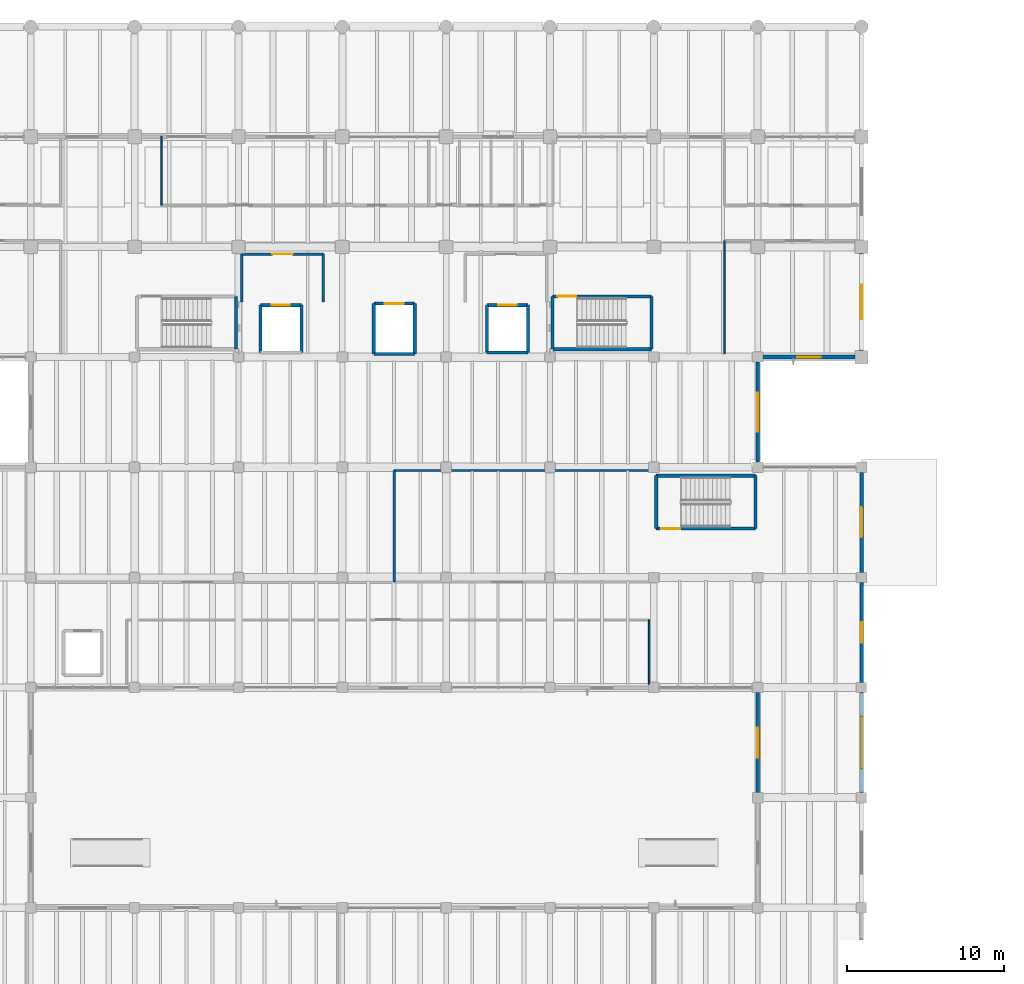
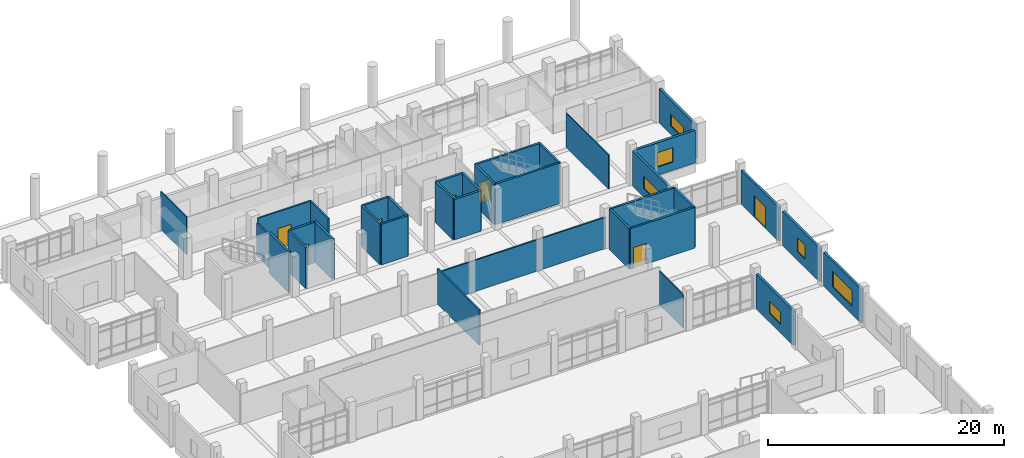
# One storey, part 49 of 69: 35 walls, 7 doors, 6 windows, 13 openings.
"""IFC4 building model written with IfcOpenShell, lengths in metres."""

from ifc_helpers import new_model, si_unit, direction, frame, frame_2d, origin, place, context, subcontext, project, spatial, rectangle, extrude, material, layer, layer_set, type_object, element, fill, save


model = new_model("IFC4")

# Units and contexts
model_context = context("Model", 3, precision=1e-05, world=origin(), true_north=direction((0.0, 1.0)))
body_context = subcontext(model_context, "Body", "Model", "MODEL_VIEW")
ifc_project = project(units=[si_unit("LENGTHUNIT", "METRE"), si_unit("AREAUNIT", "SQUARE_METRE"), si_unit("VOLUMEUNIT", "CUBIC_METRE"), si_unit("PLANEANGLEUNIT", "RADIAN"), si_unit("MASSUNIT", "GRAM", prefix="KILO")], contexts=[model_context])

# Site, building, storey
site_placement = place(None, origin())
site = spatial("IfcSite", under=ifc_project, at=site_placement, CompositionType="ELEMENT")
building_placement = place(site_placement, origin())
building = spatial("IfcBuilding", under=site, at=building_placement, Name="Ciguamira Faculty of Natural Sciences", CompositionType="ELEMENT")
storey_placement = place(building_placement, origin())
storey = spatial("IfcBuildingStorey", under=building, at=storey_placement, Name="L00", CompositionType="ELEMENT", Elevation=0.0)

# Wall, opening, window
ifc_material_1 = material(Name="Precast concrete C40/50", Category="concrete")
ifc_layer_1 = layer(ifc_material_1, 0.239990234375, Name="Precast concrete C40/50")
ifc_layer_set_1 = layer_set([ifc_layer_1], Name="Precast concrete C40/50")
wall_type_1 = type_object("IfcWallType", Name="ExtWall_EW-02_240", PredefinedType="SOLIDWALL", material=ifc_layer_set_1)
wall_1_placement = place(storey_placement, frame((110.425048828125, 94.0, 0.0), z_axis=(0.0, 0.0, 1.0), x_axis=(1.0, 0.0, 0.0)))
wall_1 = element("IfcWall", 1, at=wall_1_placement, inside=storey, type_object=wall_type_1, Name="L00 exterior wall 0099", PredefinedType="SOLIDWALL", context=body_context, shape_type="SweptSolid", body=[
    extrude(rectangle(XDim=5.849853515625, YDim=0.239990234375, at=frame_2d((2.9248046875, 0.0))), origin(), (0.0, 0.0, 1.0), 3.364990234375),
])
opening_1_placement = place(wall_1_placement, frame((2.175048828125, 0.0, 0.85009765625)))
opening_1 = element("IfcOpeningElement", 2, at=opening_1_placement, cuts=wall_1, Name="Opening WT-09", PredefinedType="OPENING", context=body_context, shape_type="SweptSolid", body=[
    extrude(rectangle(XDim=1.5, YDim=1.5, at=frame_2d((0.75, 0.75))), frame((0.0, 0.1298828125, 0.0), z_axis=(0.0, -1.0, 0.0), x_axis=(1.0, 0.0, 0.0)), (0.0, 0.0, 1.0), 0.260009765625),
])
ifc_material_2 = material(Name="Hurricane laminated solar glass", Category="glass")
window_type_1 = type_object("IfcWindowType", Name="Window_WT-09_1500x1500", PartitioningType="DOUBLE_PANEL_VERTICAL", PredefinedType="WINDOW", material=ifc_material_2)
window_1_placement = place(opening_1_placement, origin())
window_1 = element("IfcWindow", 3, at=window_1_placement, inside=storey, type_object=window_type_1, Name="L00 facade window 0024", OverallHeight=1.5, OverallWidth=1.5, PartitioningType="SINGLE_PANEL", PredefinedType="WINDOW", context=body_context, shape_type="SweptSolid", body=[
    extrude(rectangle(XDim=1.5, YDim=1.5, at=frame_2d((0.75, 0.75))), frame((0.0, 0.030029296875, 0.0), z_axis=(0.0, -1.0, 0.0), x_axis=(1.0, 0.0, 0.0)), (0.0, 0.0, 1.0), 0.06005859375),
])
fill(opening_1, window_1)

wall_2_placement = place(storey_placement, frame((116.699951171875, 94.425048828125, 0.0), z_axis=(0.0, 0.0, 1.0), x_axis=(0.0, 1.0, 0.0)))
wall_2 = element("IfcWall", 4, at=wall_2_placement, inside=storey, type_object=wall_type_1, Name="L00 exterior wall 0131", PredefinedType="SOLIDWALL", context=body_context, shape_type="SweptSolid", body=[
    extrude(rectangle(XDim=6.14990234375, YDim=0.239990234375, at=frame_2d((3.074951171875, 0.0))), origin(), (0.0, 0.0, 1.0), 3.5048828125),
])
opening_2_placement = place(wall_2_placement, frame((1.97509765625, 0.0, 0.85009765625)))
opening_2 = element("IfcOpeningElement", 5, at=opening_2_placement, cuts=wall_2, Name="Opening WT-31", PredefinedType="OPENING", context=body_context, shape_type="SweptSolid", body=[
    extrude(rectangle(XDim=2.199951171875, YDim=1.199951171875, at=frame_2d((1.10009765625, 0.60009765625))), frame((0.0, 0.1298828125, 0.0), z_axis=(0.0, -1.0, 0.0), x_axis=(1.0, 0.0, 0.0)), (0.0, 0.0, 1.0), 0.260009765625),
])
window_type_2 = type_object("IfcWindowType", Name="Window_WT-31_2200x1200", PartitioningType="DOUBLE_PANEL_VERTICAL", PredefinedType="WINDOW", material=ifc_material_2)
window_2_placement = place(opening_2_placement, origin())
window_2 = element("IfcWindow", 6, at=window_2_placement, inside=storey, type_object=window_type_2, Name="L00 facade window 0048", OverallHeight=1.199951171875, OverallWidth=2.199951171875, PartitioningType="SINGLE_PANEL", PredefinedType="WINDOW", context=body_context, shape_type="SweptSolid", body=[
    extrude(rectangle(XDim=2.199951171875, YDim=1.199951171875, at=frame_2d((1.10009765625, 0.60009765625))), frame((0.0, 0.030029296875, 0.0), z_axis=(0.0, -1.0, 0.0), x_axis=(1.0, 0.0, 0.0)), (0.0, 0.0, 1.0), 0.06005859375),
])
fill(opening_2, window_2)

ifc_layer_2 = layer(ifc_material_1, 0.219970703125, Name="Precast concrete C40/50")
ifc_layer_set_2 = layer_set([ifc_layer_2], Name="Precast concrete C40/50")
wall_type_2 = type_object("IfcWallType", Name="ExtWall_EW-03_220", PredefinedType="SOLIDWALL", material=ifc_layer_set_2)
wall_3_placement = place(storey_placement, frame((110.10009765625, 66.324951171875, 0.0), z_axis=(0.0, 0.0, 1.0), x_axis=(0.0, 1.0, 0.0)))
wall_3 = element("IfcWall", 7, at=wall_3_placement, inside=storey, type_object=wall_type_2, Name="L00 exterior wall 0123", PredefinedType="SOLIDWALL", context=body_context, shape_type="SweptSolid", body=[
    extrude(rectangle(XDim=6.35009765625, YDim=0.219970703125, at=frame_2d((3.175048828125, 0.0))), origin(), (0.0, 0.0, 1.0), 3.56494140625),
])
opening_3_placement = place(wall_3_placement, frame((2.22509765625, 0.0, 0.85009765625)))
opening_3 = element("IfcOpeningElement", 8, at=opening_3_placement, cuts=wall_3, Name="Opening WT-17", PredefinedType="OPENING", context=body_context, shape_type="SweptSolid", body=[
    extrude(rectangle(XDim=1.89990234375, YDim=1.25, at=frame_2d((0.949951171875, 0.625))), frame((0.0, 0.119873046875, 0.0), z_axis=(0.0, -1.0, 0.0), x_axis=(1.0, 0.0, 0.0)), (0.0, 0.0, 1.0), 0.239990234375),
])
window_type_3 = type_object("IfcWindowType", Name="Window_WT-17_1900x1250", PartitioningType="DOUBLE_PANEL_VERTICAL", PredefinedType="WINDOW", material=ifc_material_2)
window_3_placement = place(opening_3_placement, origin())
window_3 = element("IfcWindow", 9, at=window_3_placement, inside=storey, type_object=window_type_3, Name="L00 facade window 0042", OverallHeight=1.25, OverallWidth=1.89990234375, PartitioningType="SINGLE_PANEL", PredefinedType="WINDOW", context=body_context, shape_type="SweptSolid", body=[
    extrude(rectangle(XDim=1.89990234375, YDim=1.25, at=frame_2d((0.949951171875, 0.625))), frame((0.0, 0.030029296875, 0.0), z_axis=(0.0, -1.0, 0.0), x_axis=(1.0, 0.0, 0.0)), (0.0, 0.0, 1.0), 0.06005859375),
])
fill(opening_3, window_3)

wall_4_placement = place(storey_placement, frame((110.10009765625, 87.324951171875, 0.0), z_axis=(0.0, 0.0, 1.0), x_axis=(0.0, 1.0, 0.0)))
wall_4 = element("IfcWall", 10, at=wall_4_placement, inside=storey, type_object=wall_type_2, Name="L00 exterior wall 0124", PredefinedType="SOLIDWALL", context=body_context, shape_type="SweptSolid", body=[
    extrude(rectangle(XDim=6.35009765625, YDim=0.219970703125, at=frame_2d((3.175048828125, 0.0))), origin(), (0.0, 0.0, 1.0), 3.56494140625),
])
opening_4_placement = place(wall_4_placement, frame((1.925048828125, 0.0, 0.85009765625)))
opening_4 = element("IfcOpeningElement", 11, at=opening_4_placement, cuts=wall_4, Name="Opening WT-19", PredefinedType="OPENING", context=body_context, shape_type="SweptSolid", body=[
    extrude(rectangle(XDim=2.5, YDim=1.25, at=frame_2d((1.25, 0.625))), frame((0.0, 0.119873046875, 0.0), z_axis=(0.0, -1.0, 0.0), x_axis=(1.0, 0.0, 0.0)), (0.0, 0.0, 1.0), 0.239990234375),
])
window_type_4 = type_object("IfcWindowType", Name="Window_WT-19_2500x1250", PartitioningType="DOUBLE_PANEL_VERTICAL", PredefinedType="WINDOW", material=ifc_material_2)
window_4_placement = place(opening_4_placement, origin())
window_4 = element("IfcWindow", 12, at=window_4_placement, inside=storey, type_object=window_type_4, Name="L00 facade window 0043", OverallHeight=1.25, OverallWidth=2.5, PartitioningType="SINGLE_PANEL", PredefinedType="WINDOW", context=body_context, shape_type="SweptSolid", body=[
    extrude(rectangle(XDim=2.5, YDim=1.25, at=frame_2d((1.25, 0.625))), frame((0.0, 0.030029296875, 0.0), z_axis=(0.0, -1.0, 0.0), x_axis=(1.0, 0.0, 0.0)), (0.0, 0.0, 1.0), 0.06005859375),
])
fill(opening_4, window_4)

wall_5_placement = place(storey_placement, frame((116.699951171875, 66.324951171875, 0.0), z_axis=(0.0, 0.0, 1.0), x_axis=(0.0, 1.0, 0.0)))
wall_5 = element("IfcWall", 13, at=wall_5_placement, inside=storey, type_object=wall_type_2, Name="L00 exterior wall 0128", PredefinedType="SOLIDWALL", context=body_context, shape_type="SweptSolid", body=[
    extrude(rectangle(XDim=6.35009765625, YDim=0.219970703125, at=frame_2d((3.175048828125, 0.0))), origin(), (0.0, 0.0, 1.0), 3.5048828125),
])
opening_5_placement = place(wall_5_placement, frame((1.52490234375, 0.0, 0.85009765625)))
opening_5 = element("IfcOpeningElement", 14, at=opening_5_placement, cuts=wall_5, Name="Opening WT-26", PredefinedType="OPENING", context=body_context, shape_type="SweptSolid", body=[
    extrude(rectangle(XDim=3.300048828125, YDim=1.60009765625, at=frame_2d((1.64990234375, 0.800048828125))), frame((0.0, 0.119873046875, 0.0), z_axis=(0.0, -1.0, 0.0), x_axis=(1.0, 0.0, 0.0)), (0.0, 0.0, 1.0), 0.239990234375),
])
window_type_5 = type_object("IfcWindowType", Name="Window_WT-26_3300x1600", PartitioningType="DOUBLE_PANEL_VERTICAL", PredefinedType="WINDOW", material=ifc_material_2)
window_5_placement = place(opening_5_placement, origin())
window_5 = element("IfcWindow", 15, at=window_5_placement, inside=storey, type_object=window_type_5, Name="L00 facade window 0046", OverallHeight=1.60009765625, OverallWidth=3.300048828125, PartitioningType="SINGLE_PANEL", PredefinedType="WINDOW", context=body_context, shape_type="SweptSolid", body=[
    extrude(rectangle(XDim=3.300048828125, YDim=1.60009765625, at=frame_2d((1.64990234375, 0.800048828125))), frame((0.0, 0.030029296875, 0.0), z_axis=(0.0, -1.0, 0.0), x_axis=(1.0, 0.0, 0.0)), (0.0, 0.0, 1.0), 0.06005859375),
])
fill(opening_5, window_5)

wall_6_placement = place(storey_placement, frame((116.699951171875, 73.324951171875, 0.0), z_axis=(0.0, 0.0, 1.0), x_axis=(0.0, 1.0, 0.0)))
wall_6 = element("IfcWall", 16, at=wall_6_placement, inside=storey, type_object=wall_type_2, Name="L00 exterior wall 0129", PredefinedType="SOLIDWALL", context=body_context, shape_type="SweptSolid", body=[
    extrude(rectangle(XDim=6.35009765625, YDim=0.219970703125, at=frame_2d((3.175048828125, 0.0))), origin(), (0.0, 0.0, 1.0), 3.5048828125),
])
opening_6_placement = place(wall_6_placement, frame((2.52490234375, 0.0, 0.85009765625)))
opening_6 = element("IfcOpeningElement", 17, at=opening_6_placement, cuts=wall_6, Name="Opening WT-28", PredefinedType="OPENING", context=body_context, shape_type="SweptSolid", body=[
    extrude(rectangle(XDim=1.300048828125, YDim=1.449951171875, at=frame_2d((0.64990234375, 0.72509765625))), frame((0.0, 0.119873046875, 0.0), z_axis=(0.0, -1.0, 0.0), x_axis=(1.0, 0.0, 0.0)), (0.0, 0.0, 1.0), 0.239990234375),
])
window_type_6 = type_object("IfcWindowType", Name="Window_WT-28_1300x1450", PartitioningType="DOUBLE_PANEL_VERTICAL", PredefinedType="WINDOW", material=ifc_material_2)
window_6_placement = place(opening_6_placement, origin())
window_6 = element("IfcWindow", 18, at=window_6_placement, inside=storey, type_object=window_type_6, Name="L00 facade window 0047", OverallHeight=1.449951171875, OverallWidth=1.300048828125, PartitioningType="SINGLE_PANEL", PredefinedType="WINDOW", context=body_context, shape_type="SweptSolid", body=[
    extrude(rectangle(XDim=1.300048828125, YDim=1.449951171875, at=frame_2d((0.64990234375, 0.72509765625))), frame((0.0, 0.030029296875, 0.0), z_axis=(0.0, -1.0, 0.0), x_axis=(1.0, 0.0, 0.0)), (0.0, 0.0, 1.0), 0.06005859375),
])
fill(opening_6, window_6)

# Wall, opening, door
wall_7_placement = place(storey_placement, frame((116.699951171875, 80.324951171875, 0.0), z_axis=(0.0, 0.0, 1.0), x_axis=(0.0, 1.0, 0.0)))
wall_7 = element("IfcWall", 19, at=wall_7_placement, inside=storey, type_object=wall_type_2, Name="L00 exterior wall 0130", PredefinedType="SOLIDWALL", context=body_context, shape_type="SweptSolid", body=[
    extrude(rectangle(XDim=6.35009765625, YDim=0.219970703125, at=frame_2d((3.175048828125, 0.0))), origin(), (0.0, 0.0, 1.0), 3.5048828125),
])
opening_7_placement = place(wall_7_placement, frame((2.22509765625, 0.0, 0.0)))
opening_7 = element("IfcOpeningElement", 20, at=opening_7_placement, cuts=wall_7, Name="Opening ED-04", PredefinedType="OPENING", context=body_context, shape_type="SweptSolid", body=[
    extrude(rectangle(XDim=1.89990234375, YDim=2.199951171875, at=frame_2d((0.949951171875, 1.10009765625))), frame((0.0, 0.119873046875, 0.0), z_axis=(0.0, -1.0, 0.0), x_axis=(1.0, 0.0, 0.0)), (0.0, 0.0, 1.0), 0.239990234375),
])
ifc_material_3 = material(Name="Stair final exit discharge double door")
door_type_1 = type_object("IfcDoorType", Name="ExtDoor_ED-04_1900x2200", OperationType="NOTDEFINED", PredefinedType="DOOR", material=ifc_material_3)
door_1_placement = place(opening_7_placement, frame((1.89990234375, 0.0, 0.0), z_axis=(0.0, 0.0, 1.0), x_axis=(-1.0, 0.0, 0.0)))
door_1 = element("IfcDoor", 21, at=door_1_placement, inside=storey, type_object=door_type_1, Name="Northeast Lab Final Exit Door ED-15", OperationType="DOUBLE_DOOR_SINGLE_SWING", OverallHeight=2.199951171875, OverallWidth=1.89990234375, PredefinedType="DOOR", context=body_context, shape_type="SweptSolid", body=[
    extrude(rectangle(XDim=1.89990234375, YDim=2.199951171875, at=frame_2d((0.949951171875, 1.10009765625))), frame((0.0, 0.02490234375, 0.0), z_axis=(0.0, -1.0, 0.0), x_axis=(1.0, 0.0, 0.0)), (0.0, 0.0, 1.0), 0.050048828125),
])
fill(opening_7, door_1)

# Walls
ifc_material_4 = material(Name="Concrete C40/50", Category="concrete")
ifc_layer_3 = layer(ifc_material_4, 0.199951171875, Name="Concrete C40/50")
ifc_layer_set_3 = layer_set([ifc_layer_3], Name="Concrete C40/50")
wall_type_3 = type_object("IfcWallType", Name="IntWall_CW-S20_200", PredefinedType="SHEAR", material=ifc_layer_set_3)
wall_8_placement = place(storey_placement, frame((76.949951171875, 94.5, 0.0), z_axis=(0.0, 0.0, 1.0), x_axis=(0.0, 1.0, 0.0)))
element("IfcWall", 22, at=wall_8_placement, inside=storey, type_object=wall_type_3, Name="L00 ST-T1 core shear wall east", PredefinedType="SHEAR", context=body_context, shape_type="SweptSolid", body=[
    extrude(rectangle(XDim=3.360107421875, YDim=0.199951171875, at=frame_2d((1.68017578125, 0.0))), origin(), (0.0, 0.0, 1.0), 4.199951171875),
])
wall_9_placement = place(storey_placement, frame((97.050048828125, 94.5, 0.0), z_axis=(0.0, 0.0, 1.0), x_axis=(1.0, 0.0, 0.0)))
element("IfcWall", 23, at=wall_9_placement, inside=storey, type_object=wall_type_3, Name="L00 ST-T2 core shear wall south", PredefinedType="SHEAR", context=body_context, shape_type="SweptSolid", body=[
    extrude(rectangle(XDim=6.300048828125, YDim=0.199951171875, at=frame_2d((3.14990234375, 0.0))), origin(), (0.0, 0.0, 1.0), 4.199951171875),
])

# Wall, opening, door
wall_10_placement = place(storey_placement, frame((97.050048828125, 97.860107421875, 0.0), z_axis=(0.0, 0.0, 1.0), x_axis=(1.0, 0.0, 0.0)))
wall_10 = element("IfcWall", 24, at=wall_10_placement, inside=storey, type_object=wall_type_3, Name="L00 ST-T2 core shear wall north", PredefinedType="SHEAR", context=body_context, shape_type="SweptSolid", body=[
    extrude(rectangle(XDim=6.300048828125, YDim=0.199951171875, at=frame_2d((3.14990234375, 0.0))), origin(), (0.0, 0.0, 1.0), 4.199951171875),
])
opening_8_placement = place(wall_10_placement, frame((0.320068359375, 0.0, 0.0)))
opening_8 = element("IfcOpeningElement", 25, at=opening_8_placement, cuts=wall_10, Name="Opening ID-14", PredefinedType="OPENING", context=body_context, shape_type="SweptSolid", body=[
    extrude(rectangle(XDim=1.199951171875, YDim=2.14990234375, at=frame_2d((0.60009765625, 1.074951171875))), frame((0.0, 0.10986328125, 0.0), z_axis=(0.0, -1.0, 0.0), x_axis=(1.0, 0.0, 0.0)), (0.0, 0.0, 1.0), 0.219970703125),
])
ifc_material_5 = material(Name="Protected exit stair fire door")
door_type_2 = type_object("IfcDoorType", Name="IntDoor_ID-14_1200x2150", OperationType="NOTDEFINED", PredefinedType="DOOR", material=ifc_material_5)
door_2_placement = place(opening_8_placement, frame((1.199951171875, 0.0, 0.0), z_axis=(0.0, 0.0, 1.0), x_axis=(-1.0, 0.0, 0.0)))
door_2 = element("IfcDoor", 26, at=door_2_placement, inside=storey, type_object=door_type_2, Name="L00 ST-T2 exit stair fire door", OperationType="SINGLE_SWING_LEFT", OverallHeight=2.14990234375, OverallWidth=1.199951171875, PredefinedType="DOOR", context=body_context, shape_type="SweptSolid", body=[
    extrude(rectangle(XDim=1.199951171875, YDim=2.14990234375, at=frame_2d((0.60009765625, 1.074951171875))), frame((0.0, 0.02490234375, 0.0), z_axis=(0.0, -1.0, 0.0), x_axis=(1.0, 0.0, 0.0)), (0.0, 0.0, 1.0), 0.050048828125),
])
fill(opening_8, door_2)

# Walls
for number, where, z_axis, x_axis, name in (
    (27, (97.050048828125, 94.5, 0.0), (0.0, 0.0, 1.0), (0.0, 1.0, 0.0), "L00 ST-T2 core shear wall west"),
    (28, (103.35009765625, 94.5, 0.0), (0.0, 0.0, 1.0), (0.0, 1.0, 0.0), "L00 ST-T2 core shear wall east"),
):
    element("IfcWall", number, at=place(storey_placement, frame(where, z_axis=z_axis, x_axis=x_axis)), inside=storey, type_object=wall_type_3, Name=name, PredefinedType="SHEAR", context=body_context, shape_type="SweptSolid", body=[
        extrude(rectangle(XDim=3.360107421875, YDim=0.199951171875, at=frame_2d((1.68017578125, 0.0))), origin(), (0.0, 0.0, 1.0), 4.199951171875),
    ])

# Wall, opening, door
wall_11_placement = place(storey_placement, frame((103.64990234375, 83.10009765625, 0.0), z_axis=(0.0, 0.0, 1.0), x_axis=(1.0, 0.0, 0.0)))
wall_11 = element("IfcWall", 29, at=wall_11_placement, inside=storey, type_object=wall_type_3, Name="L00 ST-W2 core shear wall south", PredefinedType="SHEAR", context=body_context, shape_type="SweptSolid", body=[
    extrude(rectangle(XDim=6.300048828125, YDim=0.199951171875, at=frame_2d((3.14990234375, 0.0))), origin(), (0.0, 0.0, 1.0), 4.199951171875),
])
opening_9_placement = place(wall_11_placement, frame((0.320068359375, 0.0, 0.0)))
opening_9 = element("IfcOpeningElement", 30, at=opening_9_placement, cuts=wall_11, Name="Opening ID-14", PredefinedType="OPENING", context=body_context, shape_type="SweptSolid", body=[
    extrude(rectangle(XDim=1.199951171875, YDim=2.14990234375, at=frame_2d((0.60009765625, 1.074951171875))), frame((0.0, 0.10986328125, 0.0), z_axis=(0.0, -1.0, 0.0), x_axis=(1.0, 0.0, 0.0)), (0.0, 0.0, 1.0), 0.219970703125),
])
door_3_placement = place(opening_9_placement, origin())
door_3 = element("IfcDoor", 31, at=door_3_placement, inside=storey, type_object=door_type_2, Name="L00 ST-W2 exit stair fire door", OperationType="SINGLE_SWING_RIGHT", OverallHeight=2.14990234375, OverallWidth=1.199951171875, PredefinedType="DOOR", context=body_context, shape_type="SweptSolid", body=[
    extrude(rectangle(XDim=1.199951171875, YDim=2.14990234375, at=frame_2d((0.60009765625, 1.074951171875))), frame((0.0, 0.02490234375, 0.0), z_axis=(0.0, -1.0, 0.0), x_axis=(1.0, 0.0, 0.0)), (0.0, 0.0, 1.0), 0.050048828125),
])
fill(opening_9, door_3)

# Walls
wall_12_placement = place(storey_placement, frame((103.64990234375, 86.4599609375, 0.0), z_axis=(0.0, 0.0, 1.0), x_axis=(1.0, 0.0, 0.0)))
element("IfcWall", 32, at=wall_12_placement, inside=storey, type_object=wall_type_3, Name="L00 ST-W2 core shear wall north", PredefinedType="SHEAR", context=body_context, shape_type="SweptSolid", body=[
    extrude(rectangle(XDim=6.300048828125, YDim=0.199951171875, at=frame_2d((3.14990234375, 0.0))), origin(), (0.0, 0.0, 1.0), 4.199951171875),
])
for number, where, z_axis, x_axis, name in (
    (33, (103.64990234375, 83.10009765625, 0.0), (0.0, 0.0, 1.0), (0.0, 1.0, 0.0), "L00 ST-W2 core shear wall west"),
    (34, (109.949951171875, 83.10009765625, 0.0), (0.0, 0.0, 1.0), (0.0, 1.0, 0.0), "L00 ST-W2 core shear wall east"),
):
    element("IfcWall", number, at=place(storey_placement, frame(where, z_axis=z_axis, x_axis=x_axis)), inside=storey, type_object=wall_type_3, Name=name, PredefinedType="SHEAR", context=body_context, shape_type="SweptSolid", body=[
        extrude(rectangle(XDim=3.35986328125, YDim=0.199951171875, at=frame_2d((1.679931640625, 0.0))), origin(), (0.0, 0.0, 1.0), 4.199951171875),
    ])

# Wall, opening, door
wall_13_placement = place(storey_placement, frame((78.5, 97.300048828125, 0.0), z_axis=(0.0, 0.0, 1.0), x_axis=(1.0, 0.0, 0.0)))
wall_13 = element("IfcWall", 35, at=wall_13_placement, inside=storey, type_object=wall_type_3, Name="L00 EL-FF1 hoistway wall north", PredefinedType="SHEAR", context=body_context, shape_type="SweptSolid", body=[
    extrude(rectangle(XDim=2.60009765625, YDim=0.199951171875, at=frame_2d((1.300048828125, 0.0))), origin(), (0.0, 0.0, 1.0), 4.199951171875),
])
opening_10_placement = place(wall_13_placement, frame((0.72509765625, 0.0, 0.0)))
opening_10 = element("IfcOpeningElement", 36, at=opening_10_placement, cuts=wall_13, Name="Opening LD-03", PredefinedType="OPENING", context=body_context, shape_type="SweptSolid", body=[
    extrude(rectangle(XDim=1.14990234375, YDim=2.199951171875, at=frame_2d((0.574951171875, 1.10009765625))), frame((0.0, 0.10986328125, 0.0), z_axis=(0.0, -1.0, 0.0), x_axis=(1.0, 0.0, 0.0)), (0.0, 0.0, 1.0), 0.219970703125),
])
ifc_material_6 = material(Name="Firefighting lift sliding landing door")
door_type_3 = type_object("IfcDoorType", Name="LiftLandingDoor_LD-03_1150x2200", OperationType="SLIDING_TO_LEFT", PredefinedType="DOOR", material=ifc_material_6)
door_4_placement = place(opening_10_placement, origin())
door_4 = element("IfcDoor", 37, at=door_4_placement, inside=storey, type_object=door_type_3, Name="L00 EL-FF1 elevator landing sliding door", OperationType="SLIDING_TO_LEFT", OverallHeight=2.199951171875, OverallWidth=1.14990234375, PredefinedType="DOOR", context=body_context, shape_type="SweptSolid", body=[
    extrude(rectangle(XDim=1.14990234375, YDim=2.199951171875, at=frame_2d((0.574951171875, 1.10009765625))), frame((0.0, 0.02490234375, 0.0), z_axis=(0.0, -1.0, 0.0), x_axis=(1.0, 0.0, 0.0)), (0.0, 0.0, 1.0), 0.050048828125),
])
fill(opening_10, door_4)

# Walls
for number, where, z_axis, x_axis, name in (
    (38, (78.5, 94.300048828125, 0.0), (0.0, 0.0, 1.0), (0.0, 1.0, 0.0), "L00 EL-FF1 hoistway wall west"),
    (39, (81.10009765625, 94.300048828125, 0.0), (0.0, 0.0, 1.0), (0.0, 1.0, 0.0), "L00 EL-FF1 hoistway wall east"),
):
    element("IfcWall", number, at=place(storey_placement, frame(where, z_axis=z_axis, x_axis=x_axis)), inside=storey, type_object=wall_type_3, Name=name, PredefinedType="SHEAR", context=body_context, shape_type="SweptSolid", body=[
        extrude(rectangle(XDim=3.0, YDim=0.199951171875, at=frame_2d((1.5, 0.0))), origin(), (0.0, 0.0, 1.0), 4.199951171875),
    ])
wall_14_placement = place(storey_placement, frame((92.89990234375, 94.300048828125, 0.0), z_axis=(0.0, 0.0, 1.0), x_axis=(1.0, 0.0, 0.0)))
element("IfcWall", 40, at=wall_14_placement, inside=storey, type_object=wall_type_3, Name="L00 EL-FF2 hoistway wall south", PredefinedType="SHEAR", context=body_context, shape_type="SweptSolid", body=[
    extrude(rectangle(XDim=2.60009765625, YDim=0.199951171875, at=frame_2d((1.300048828125, 0.0))), origin(), (0.0, 0.0, 1.0), 4.199951171875),
])

# Wall, opening, door
wall_15_placement = place(storey_placement, frame((92.89990234375, 97.300048828125, 0.0), z_axis=(0.0, 0.0, 1.0), x_axis=(1.0, 0.0, 0.0)))
wall_15 = element("IfcWall", 41, at=wall_15_placement, inside=storey, type_object=wall_type_3, Name="L00 EL-FF2 hoistway wall north", PredefinedType="SHEAR", context=body_context, shape_type="SweptSolid", body=[
    extrude(rectangle(XDim=2.60009765625, YDim=0.199951171875, at=frame_2d((1.300048828125, 0.0))), origin(), (0.0, 0.0, 1.0), 4.199951171875),
])
opening_11_placement = place(wall_15_placement, frame((0.72509765625, 0.0, 0.0)))
opening_11 = element("IfcOpeningElement", 42, at=opening_11_placement, cuts=wall_15, Name="Opening LD-03", PredefinedType="OPENING", context=body_context, shape_type="SweptSolid", body=[
    extrude(rectangle(XDim=1.14990234375, YDim=2.199951171875, at=frame_2d((0.574951171875, 1.10009765625))), frame((0.0, 0.10986328125, 0.0), z_axis=(0.0, -1.0, 0.0), x_axis=(1.0, 0.0, 0.0)), (0.0, 0.0, 1.0), 0.219970703125),
])
door_5_placement = place(opening_11_placement, origin())
door_5 = element("IfcDoor", 43, at=door_5_placement, inside=storey, type_object=door_type_3, Name="L00 EL-FF2 elevator landing sliding door", OperationType="SLIDING_TO_LEFT", OverallHeight=2.199951171875, OverallWidth=1.14990234375, PredefinedType="DOOR", context=body_context, shape_type="SweptSolid", body=[
    extrude(rectangle(XDim=1.14990234375, YDim=2.199951171875, at=frame_2d((0.574951171875, 1.10009765625))), frame((0.0, 0.02490234375, 0.0), z_axis=(0.0, -1.0, 0.0), x_axis=(1.0, 0.0, 0.0)), (0.0, 0.0, 1.0), 0.050048828125),
])
fill(opening_11, door_5)

# Walls
for number, where, z_axis, x_axis, name in (
    (44, (92.89990234375, 94.300048828125, 0.0), (0.0, 0.0, 1.0), (0.0, 1.0, 0.0), "L00 EL-FF2 hoistway wall west"),
    (45, (95.5, 94.300048828125, 0.0), (0.0, 0.0, 1.0), (0.0, 1.0, 0.0), "L00 EL-FF2 hoistway wall east"),
):
    element("IfcWall", number, at=place(storey_placement, frame(where, z_axis=z_axis, x_axis=x_axis)), inside=storey, type_object=wall_type_3, Name=name, PredefinedType="SHEAR", context=body_context, shape_type="SweptSolid", body=[
        extrude(rectangle(XDim=3.0, YDim=0.199951171875, at=frame_2d((1.5, 0.0))), origin(), (0.0, 0.0, 1.0), 4.199951171875),
    ])
wall_16_placement = place(storey_placement, frame((85.699951171875, 94.199951171875, 0.0), z_axis=(0.0, 0.0, 1.0), x_axis=(1.0, 0.0, 0.0)))
element("IfcWall", 46, at=wall_16_placement, inside=storey, type_object=wall_type_3, Name="L00 EL-P1 hoistway wall south", PredefinedType="SHEAR", context=body_context, shape_type="SweptSolid", body=[
    extrude(rectangle(XDim=2.60009765625, YDim=0.199951171875, at=frame_2d((1.300048828125, 0.0))), origin(), (0.0, 0.0, 1.0), 4.199951171875),
])

# Wall, opening, door
wall_17_placement = place(storey_placement, frame((85.699951171875, 97.39990234375, 0.0), z_axis=(0.0, 0.0, 1.0), x_axis=(1.0, 0.0, 0.0)))
wall_17 = element("IfcWall", 47, at=wall_17_placement, inside=storey, type_object=wall_type_3, Name="L00 EL-P1 hoistway wall north", PredefinedType="SHEAR", context=body_context, shape_type="SweptSolid", body=[
    extrude(rectangle(XDim=2.60009765625, YDim=0.199951171875, at=frame_2d((1.300048828125, 0.0))), origin(), (0.0, 0.0, 1.0), 4.199951171875),
])
opening_12_placement = place(wall_17_placement, frame((0.699951171875, 0.0, 0.0)))
opening_12 = element("IfcOpeningElement", 48, at=opening_12_placement, cuts=wall_17, Name="Opening LD-02", PredefinedType="OPENING", context=body_context, shape_type="SweptSolid", body=[
    extrude(rectangle(XDim=1.199951171875, YDim=2.199951171875, at=frame_2d((0.60009765625, 1.10009765625))), frame((0.0, 0.10986328125, 0.0), z_axis=(0.0, -1.0, 0.0), x_axis=(1.0, 0.0, 0.0)), (0.0, 0.0, 1.0), 0.219970703125),
])
ifc_material_7 = material(Name="Stretcher elevator sliding landing door")
door_type_4 = type_object("IfcDoorType", Name="LiftLandingDoor_LD-02_1200x2200", OperationType="SLIDING_TO_LEFT", PredefinedType="DOOR", material=ifc_material_7)
door_6_placement = place(opening_12_placement, origin())
door_6 = element("IfcDoor", 49, at=door_6_placement, inside=storey, type_object=door_type_4, Name="L00 EL-P1 elevator landing sliding door", OperationType="SLIDING_TO_LEFT", OverallHeight=2.199951171875, OverallWidth=1.199951171875, PredefinedType="DOOR", context=body_context, shape_type="SweptSolid", body=[
    extrude(rectangle(XDim=1.199951171875, YDim=2.199951171875, at=frame_2d((0.60009765625, 1.10009765625))), frame((0.0, 0.02490234375, 0.0), z_axis=(0.0, -1.0, 0.0), x_axis=(1.0, 0.0, 0.0)), (0.0, 0.0, 1.0), 0.050048828125),
])
fill(opening_12, door_6)

# Walls
for number, where, z_axis, x_axis, name in (
    (50, (85.699951171875, 94.199951171875, 0.0), (0.0, 0.0, 1.0), (0.0, 1.0, 0.0), "L00 EL-P1 hoistway wall west"),
    (51, (88.300048828125, 94.199951171875, 0.0), (0.0, 0.0, 1.0), (0.0, 1.0, 0.0), "L00 EL-P1 hoistway wall east"),
):
    element("IfcWall", number, at=place(storey_placement, frame(where, z_axis=z_axis, x_axis=x_axis)), inside=storey, type_object=wall_type_3, Name=name, PredefinedType="SHEAR", context=body_context, shape_type="SweptSolid", body=[
        extrude(rectangle(XDim=3.199951171875, YDim=0.199951171875, at=frame_2d((1.60009765625, 0.0))), origin(), (0.0, 0.0, 1.0), 4.199951171875),
    ])
ifc_material_8 = material(Name="Fire-rated gypsum partition")
ifc_layer_4 = layer(ifc_material_8, 0.10009765625, Name="Fire-rated gypsum partition")
ifc_layer_set_4 = layer_set([ifc_layer_4], Name="Fire-rated gypsum partition")
wall_type_4 = type_object("IfcWallType", Name="IntWall_IW-A10_100", PredefinedType="PARTITIONING", material=ifc_layer_set_4)
wall_18_placement = place(storey_placement, frame((103.199951171875, 73.199951171875, 0.0), z_axis=(0.0, 0.0, 1.0), x_axis=(0.0, 1.0, 0.0)))
element("IfcWall", 52, at=wall_18_placement, inside=storey, type_object=wall_type_4, Name="L00 L00 Court Overlook Write-Up Studio partition east", PredefinedType="PARTITIONING", context=body_context, shape_type="SweptSolid", body=[
    extrude(rectangle(XDim=4.10009765625, YDim=0.10009765625, at=frame_2d((2.050048828125, 0.0))), origin(), (0.0, 0.0, 1.0), 3.485107421875),
])
wall_19_placement = place(storey_placement, frame((72.199951171875, 103.64990234375, 0.0), z_axis=(0.0, 0.0, 1.0), x_axis=(0.0, 1.0, 0.0)))
element("IfcWall", 53, at=wall_19_placement, inside=storey, type_object=wall_type_4, Name="L00 North Boulevard Entrance Reception Hall partition west", PredefinedType="PARTITIONING", context=body_context, shape_type="SweptSolid", body=[
    extrude(rectangle(XDim=4.400146484375, YDim=0.10009765625, at=frame_2d((2.2001953125, 0.0))), origin(), (0.0, 0.0, 1.0), 3.89990234375),
])
wall_20_placement = place(storey_placement, frame((108.0, 94.199951171875, 0.0), z_axis=(0.0, 0.0, 1.0), x_axis=(0.0, 1.0, 0.0)))
element("IfcWall", 54, at=wall_20_placement, inside=storey, type_object=wall_type_4, Name="L00 Faculty Administration Office partition west", PredefinedType="PARTITIONING", context=body_context, shape_type="SweptSolid", body=[
    extrude(rectangle(XDim=7.199951171875, YDim=0.10009765625, at=frame_2d((3.60009765625, 0.0))), origin(), (0.0, 0.0, 1.0), 3.5283203125),
])

# Wall, opening, door
ifc_material_9 = material(Name="Fire-rated blockwork wall", Category="masonry")
ifc_layer_5 = layer(ifc_material_9, 0.159912109375, Name="Fire-rated blockwork wall")
ifc_layer_set_5 = layer_set([ifc_layer_5], Name="Fire-rated blockwork wall")
wall_type_5 = type_object("IfcWallType", Name="IntWall_IW-F16_160", PredefinedType="SOLIDWALL", material=ifc_layer_set_5)
wall_21_placement = place(storey_placement, frame((77.300048828125, 100.550048828125, 0.0), z_axis=(0.0, 0.0, 1.0), x_axis=(1.0, 0.0, 0.0)))
wall_21 = element("IfcWall", 55, at=wall_21_placement, inside=storey, type_object=wall_type_5, Name="L00 Firefighting Lift Lobby 1 partition north", PredefinedType="SOLIDWALL", context=body_context, shape_type="SweptSolid", body=[
    extrude(rectangle(XDim=5.199951171875, YDim=0.159912109375, at=frame_2d((2.60009765625, 0.0))), origin(), (0.0, 0.0, 1.0), 3.89990234375),
])
opening_13_placement = place(wall_21_placement, frame((1.949951171875, 0.0, 0.0)))
opening_13 = element("IfcOpeningElement", 56, at=opening_13_placement, cuts=wall_21, Name="Opening ID-15", PredefinedType="OPENING", context=body_context, shape_type="SweptSolid", body=[
    extrude(rectangle(XDim=1.300048828125, YDim=2.14990234375, at=frame_2d((0.64990234375, 1.074951171875))), frame((0.0, 0.08984375, 0.0), z_axis=(0.0, -1.0, 0.0), x_axis=(1.0, 0.0, 0.0)), (0.0, 0.0, 1.0), 0.179931640625),
])
ifc_material_10 = material(Name="Firefighting lift lobby fire door")
door_type_5 = type_object("IfcDoorType", Name="IntDoor_ID-15_1300x2150", OperationType="NOTDEFINED", PredefinedType="DOOR", material=ifc_material_10)
door_7_placement = place(opening_13_placement, frame((1.300048828125, 0.0, 0.0), z_axis=(0.0, 0.0, 1.0), x_axis=(-1.0, 0.0, 0.0)))
door_7 = element("IfcDoor", 57, at=door_7_placement, inside=storey, type_object=door_type_5, Name="L00 Firefighting Lift Lobby 1 door", OperationType="SINGLE_SWING_RIGHT", OverallHeight=2.14990234375, OverallWidth=1.300048828125, PredefinedType="DOOR", context=body_context, shape_type="SweptSolid", body=[
    extrude(rectangle(XDim=1.300048828125, YDim=2.14990234375, at=frame_2d((0.64990234375, 1.074951171875))), frame((0.0, 0.02490234375, 0.0), z_axis=(0.0, -1.0, 0.0), x_axis=(1.0, 0.0, 0.0)), (0.0, 0.0, 1.0), 0.050048828125),
])
fill(opening_13, door_7)

# Walls
wall_22_placement = place(storey_placement, frame((77.300048828125, 97.5, 0.0), z_axis=(0.0, 0.0, 1.0), x_axis=(0.0, 1.0, 0.0)))
element("IfcWall", 58, at=wall_22_placement, inside=storey, type_object=wall_type_5, Name="L00 Firefighting Lift Lobby 1 partition west", PredefinedType="SOLIDWALL", context=body_context, shape_type="SweptSolid", body=[
    extrude(rectangle(XDim=3.050048828125, YDim=0.159912109375, at=frame_2d((1.52490234375, 0.0))), origin(), (0.0, 0.0, 1.0), 3.405029296875),
])
wall_23_placement = place(storey_placement, frame((82.5, 97.5, 0.0), z_axis=(0.0, 0.0, 1.0), x_axis=(0.0, 1.0, 0.0)))
element("IfcWall", 59, at=wall_23_placement, inside=storey, type_object=wall_type_5, Name="L00 Firefighting Lift Lobby 1 partition east", PredefinedType="SOLIDWALL", context=body_context, shape_type="SweptSolid", body=[
    extrude(rectangle(XDim=3.050048828125, YDim=0.159912109375, at=frame_2d((1.52490234375, 0.0))), origin(), (0.0, 0.0, 1.0), 3.89990234375),
])
ifc_material_11 = material(Name="Acoustic laboratory corridor partition")
ifc_layer_6 = layer(ifc_material_11, 0.14990234375, Name="Acoustic laboratory corridor partition")
ifc_layer_set_6 = layer_set([ifc_layer_6], Name="Acoustic laboratory corridor partition")
wall_type_6 = type_object("IfcWallType", Name="IntWall_IW-G15_150", PredefinedType="PARTITIONING", material=ifc_layer_set_6)
wall_24_placement = place(storey_placement, frame((87.0, 79.699951171875, 0.0), z_axis=(0.0, 0.0, 1.0), x_axis=(0.0, 1.0, 0.0)))
element("IfcWall", 60, at=wall_24_placement, inside=storey, type_object=wall_type_6, Name="L00 Earth Sciences Petrology Laboratory partition east", PredefinedType="PARTITIONING", context=body_context, shape_type="SweptSolid", body=[
    extrude(rectangle(XDim=7.10009765625, YDim=0.14990234375, at=frame_2d((3.550048828125, 0.0))), origin(), (0.0, 0.0, 1.0), 3.64599609375),
])
ifc_material_12 = material(Name="Moisture-resistant service chase wall")
ifc_layer_7 = layer(ifc_material_12, 0.139892578125, Name="Moisture-resistant service chase wall")
ifc_layer_set_7 = layer_set([ifc_layer_7], Name="Moisture-resistant service chase wall")
wall_type_7 = type_object("IfcWallType", Name="IntWall_IW-P14_140", PredefinedType="PLUMBINGWALL", material=ifc_layer_set_7)
wall_25_placement = place(storey_placement, frame((87.0, 86.800048828125, 0.0), z_axis=(0.0, 0.0, 1.0), x_axis=(1.0, 0.0, 0.0)))
element("IfcWall", 61, at=wall_25_placement, inside=storey, type_object=wall_type_7, Name="L00 Chemical Reagent Preparation Room partition north", PredefinedType="PLUMBINGWALL", context=body_context, shape_type="SweptSolid", body=[
    extrude(rectangle(XDim=16.39990234375, YDim=0.139892578125, at=frame_2d((8.199951171875, 0.0))), origin(), (0.0, 0.0, 1.0), 3.235107421875),
])

save(model, "model.ifc")
